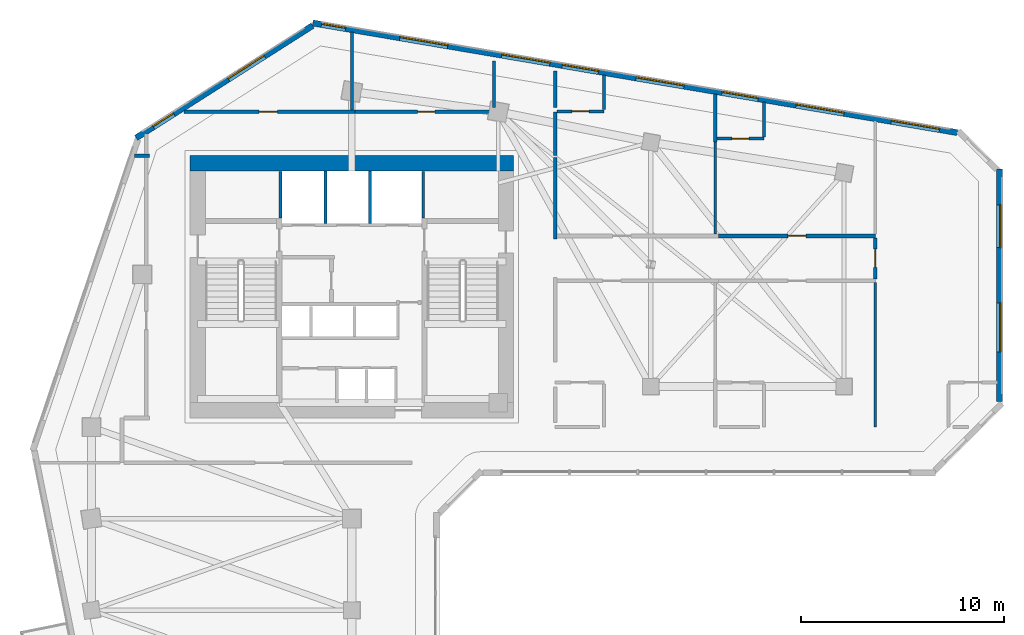
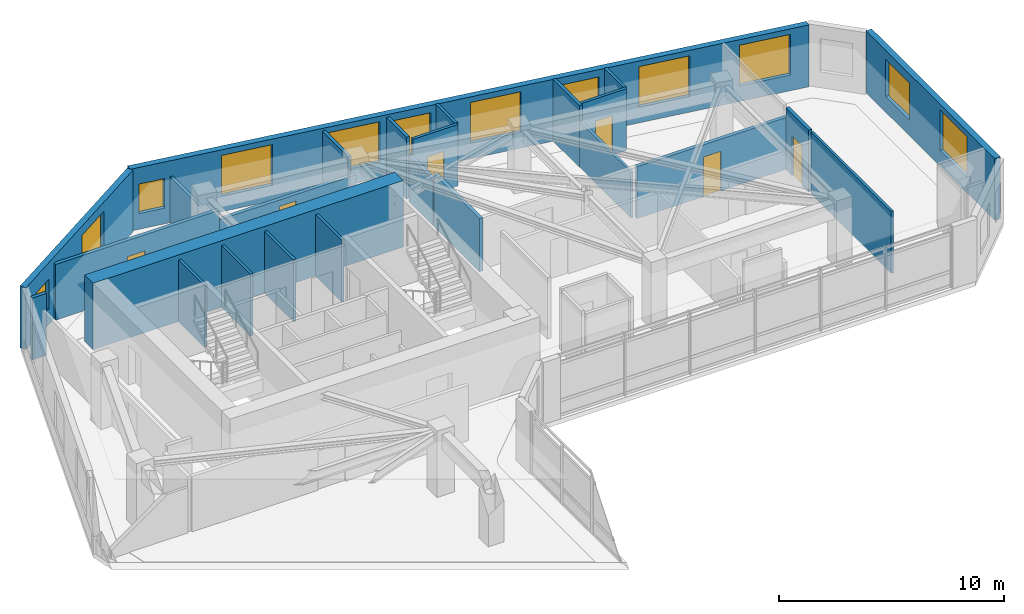
# One storey, part 7 of 11: 25 walls, 12 windows, 6 doors, 18 openings.
"""IFC4 building model written with IfcOpenShell, lengths in metres."""

import ifcopenshell
import ifcopenshell.guid

model = None  # the IFC model being written
_history = None  # IfcOwnerHistory: only IFC2X3 demands one
_inside = {}  # id of a spatial element -> (the spatial element, [elements in it])
_under = {}  # id of a project, library or spatial element -> (it, [spatial elements below it])
_declared = {}  # id of a project -> (the project, [libraries it declares])
_typed = {}  # id of a type object -> (the type object, [elements of that type])
_made_of = {}  # id of a material, layer set ... -> (it, [elements and type objects made of it])


def new_model(schema):
    """Start an empty IFC model of exactly this schema.

    Asked for "IFC4X3", IfcOpenShell would pick the latest addendum, in which some entities
    have other attributes; the version numbers below select the first issue.
    IFC2X3 requires an IfcOwnerHistory on every rooted entity: one is made here for all.
    """
    global model, _history
    if schema == "IFC4X3":
        model = ifcopenshell.file(schema_version=(4, 3, 0, 0))
    else:
        model = ifcopenshell.file(schema=schema)
    _inside.clear()
    _under.clear()
    _declared.clear()
    _typed.clear()
    _made_of.clear()
    _history = None
    if model.schema == "IFC2X3":
        org = make("IfcOrganization", Name="unknown")
        user = make(
            "IfcPersonAndOrganization",
            ThePerson=make("IfcPerson", FamilyName="unknown"),
            TheOrganization=org,
        )
        app = make(
            "IfcApplication",
            ApplicationDeveloper=org,
            Version="unknown",
            ApplicationFullName="unknown",
            ApplicationIdentifier="unknown",
        )
        _history = make(
            "IfcOwnerHistory",
            OwningUser=user,
            OwningApplication=app,
            ChangeAction="ADDED",
            CreationDate=0,
        )
    return model


def make(cls, **values):
    """One entity of the class cls with the attributes given. An attribute that is None is left unset."""
    return model.create_entity(
        cls, **{name: value for name, value in values.items() if value is not None}
    )


def rooted(cls, **values):
    """An entity with a GlobalId (a new one), such as an element, a storey or a relation."""
    return make(cls, GlobalId=ifcopenshell.guid.new(), OwnerHistory=_history, **values)


def si_unit(unit_type, name, prefix=None):
    """IfcSIUnit, for example si_unit("LENGTHUNIT", "METRE", prefix="MILLI")."""
    return make("IfcSIUnit", UnitType=unit_type, Prefix=prefix, Name=name)


def assignment(units):
    """IfcUnitAssignment: the units of a project."""
    return None if units is None else make("IfcUnitAssignment", Units=units)


def point(xyz):
    """IfcCartesianPoint."""
    return None if xyz is None else make("IfcCartesianPoint", Coordinates=xyz)


def direction(xyz):
    """IfcDirection."""
    return None if xyz is None else make("IfcDirection", DirectionRatios=xyz)


def frame(location, z_axis=None, x_axis=None):
    """IfcAxis2Placement3D, a coordinate frame: its origin and axes. An axis left out is left unset."""
    return make(
        "IfcAxis2Placement3D",
        Location=point(location),
        Axis=direction(z_axis),
        RefDirection=direction(x_axis),
    )


def frame_2d(location, x_axis=None):
    """IfcAxis2Placement2D, a coordinate frame in the plane: its origin and x axis."""
    return make(
        "IfcAxis2Placement2D", Location=point(location), RefDirection=direction(x_axis)
    )


def origin():
    """The frame at (0, 0, 0) with its axes left unset."""
    return frame((0.0, 0.0, 0.0))


def place(relative_to, where):
    """IfcLocalPlacement: puts the frame where relative to a parent placement (None: the world)."""
    return make(
        "IfcLocalPlacement", PlacementRelTo=relative_to, RelativePlacement=where
    )


def context(
    kind, dimensions, precision=None, world=None, true_north=None, identifier=None
):
    """IfcGeometricRepresentationContext, for example the 3D "Model" context."""
    return make(
        "IfcGeometricRepresentationContext",
        ContextIdentifier=identifier,
        ContextType=kind,
        CoordinateSpaceDimension=dimensions,
        Precision=precision,
        WorldCoordinateSystem=world,
        TrueNorth=true_north,
    )


def subcontext(parent, identifier, kind, view, scale=None):
    """IfcGeometricRepresentationSubContext, for example "Body" below "Model"."""
    return make(
        "IfcGeometricRepresentationSubContext",
        ContextIdentifier=identifier,
        ContextType=kind,
        ParentContext=parent,
        TargetScale=scale,
        TargetView=view,
    )


def project(units=None, contexts=None):
    """IfcProject with its units and contexts."""
    return rooted(
        "IfcProject",
        Name="project",
        RepresentationContexts=contexts,
        UnitsInContext=assignment(units),
    )


def spatial(cls, under=None, at=None, **own):
    """A site, building, storey or space (cls), placed at a placement, below another one or the project."""
    s = rooted(cls, ObjectPlacement=at, **own)
    if under is not None:
        _under.setdefault(under.id(), (under, []))[1].append(s)
    return s


def profile(cls, at=None, kind="AREA", **sizes):
    """A parametric profile (cls). Its sizes go by their IFC names, for example OverallWidth=200.0."""
    return make(cls, ProfileType=kind, Position=at, **sizes)


def rectangle(**sizes):
    """IfcRectangleProfileDef."""
    return profile("IfcRectangleProfileDef", **sizes)


def extrude(swept, where, along, depth):
    """IfcExtrudedAreaSolid: the profile swept, set in the frame where, extruded along a direction by depth."""
    return make(
        "IfcExtrudedAreaSolid",
        SweptArea=swept,
        Position=where,
        ExtrudedDirection=direction(along),
        Depth=depth,
    )


def shape(context_of_items, identifier, shape_type, items):
    """IfcShapeRepresentation: the items that make up one representation, for example the "Body"."""
    return make(
        "IfcShapeRepresentation",
        ContextOfItems=context_of_items,
        RepresentationIdentifier=identifier,
        RepresentationType=shape_type,
        Items=items,
    )


def source(mapping_origin, context_of_items, identifier, shape_type, items):
    """IfcRepresentationMap: a shape defined once, which mapped items show again and again."""
    return make(
        "IfcRepresentationMap",
        MappingOrigin=mapping_origin,
        MappedRepresentation=shape(context_of_items, identifier, shape_type, items),
    )


def transform(
    local_origin,
    x_axis=None,
    y_axis=None,
    z_axis=None,
    scale=None,
    scale2=None,
    scale3=None,
    uniform=True,
):
    """IfcCartesianTransformationOperator3D, or its non-uniform kind. x_axis, y_axis, z_axis: its Axis1, 2, 3."""
    if uniform:
        return make(
            "IfcCartesianTransformationOperator3D",
            Axis1=direction(x_axis),
            Axis2=direction(y_axis),
            LocalOrigin=point(local_origin),
            Scale=scale,
            Axis3=direction(z_axis),
        )
    return make(
        "IfcCartesianTransformationOperator3DnonUniform",
        Axis1=direction(x_axis),
        Axis2=direction(y_axis),
        LocalOrigin=point(local_origin),
        Scale=scale,
        Axis3=direction(z_axis),
        Scale2=scale2,
        Scale3=scale3,
    )


def mapped(mapping_source, mapping_target):
    """IfcMappedItem: shows the shape of a source again, moved by a transform."""
    return make(
        "IfcMappedItem", MappingSource=mapping_source, MappingTarget=mapping_target
    )


def material(Name=None, Category=None):
    """IfcMaterial."""
    return make("IfcMaterial", Name=Name, Category=Category)


def layer(
    of_material, thickness, ventilated=None, Name=None, Category=None, Priority=None
):
    """IfcMaterialLayer: one layer of a wall or slab, of a material (None: an air gap)."""
    return make(
        "IfcMaterialLayer",
        Material=of_material,
        LayerThickness=thickness,
        IsVentilated=ventilated,
        Name=Name,
        Category=Category,
        Priority=Priority,
    )


def layer_set(layers, Name=None):
    """IfcMaterialLayerSet."""
    return make("IfcMaterialLayerSet", MaterialLayers=layers, LayerSetName=Name)


def made_of(thing, what):
    """Note that an element or type object is made of a material, layer set ...; save() writes the relation."""
    if what is not None:
        _made_of.setdefault(what.id(), (what, []))[1].append(thing)
    return thing


def type_object(cls, material=None, **own):
    """A type object (cls), such as IfcWallType, which elements share."""
    return made_of(rooted(cls, **own), material)


def element(
    cls,
    number,
    at=None,
    inside=None,
    cuts=None,
    type_object=None,
    material=None,
    context=None,
    identifier="Body",
    shape_type=None,
    held_by="IfcProductDefinitionShape",
    body=None,
    shapes=None,
    **own,
):
    """One element of the class cls, such as IfcWall. Its Tag is "e" and its number.

    at: its placement. inside: the storey or other place that contains it. cuts: it is an
    opening in that element (IfcRelVoidsElement). A single representation is given by context,
    identifier, shape_type and body (its items); several are given by shapes. held_by: the class
    of the entity that holds the representations. save() writes the other relations.
    """
    e = rooted(cls, Tag="e%d" % number, ObjectPlacement=at, **own)
    if body is not None:
        shapes = [shape(context, identifier, shape_type, body)]
    if shapes is not None:
        e.Representation = make(held_by, Representations=shapes)
    if inside is not None:
        _inside.setdefault(inside.id(), (inside, []))[1].append(e)
    if cuts is not None:
        rooted(
            "IfcRelVoidsElement", RelatingBuildingElement=cuts, RelatedOpeningElement=e
        )
    if type_object is not None:
        _typed.setdefault(type_object.id(), (type_object, []))[1].append(e)
    return made_of(e, material)


def fill(opening, filler):
    """IfcRelFillsElement: the door or window that sits in an opening."""
    return rooted(
        "IfcRelFillsElement",
        RelatingOpeningElement=opening,
        RelatedBuildingElement=filler,
    )


def aggregate(whole, parts):
    """IfcRelAggregates: a whole, such as a stair, and the parts it consists of."""
    return rooted("IfcRelAggregates", RelatingObject=whole, RelatedObjects=parts)


def save(model, path):
    """Write the relations noted so far, then the file.

    IfcRelAggregates (storeys below a building ...), IfcRelContainedInSpatialStructure (elements
    in a storey), IfcRelDefinesByType, IfcRelAssociatesMaterial and IfcRelDeclares: one each for
    every whole, place, type object, material and project.
    """
    for whole, parts in _under.values():
        aggregate(whole, parts)
    for where, things in _inside.values():
        rooted(
            "IfcRelContainedInSpatialStructure",
            RelatedElements=things,
            RelatingStructure=where,
        )
    for kind, things in _typed.values():
        rooted("IfcRelDefinesByType", RelatedObjects=things, RelatingType=kind)
    for what, things in _made_of.values():
        rooted("IfcRelAssociatesMaterial", RelatedObjects=things, RelatingMaterial=what)
    for by, libraries in _declared.values():
        rooted("IfcRelDeclares", RelatingContext=by, RelatedDefinitions=libraries)
    model.write(path)


model = new_model("IFC4")

# Units and contexts
model_context = context("Model", 3, precision=1e-05, world=origin(), true_north=direction((0.0, 1.0)))
body_context = subcontext(model_context, "Body", "Model", "MODEL_VIEW")
ifc_project = project(units=[si_unit("LENGTHUNIT", "METRE"), si_unit("AREAUNIT", "SQUARE_METRE"), si_unit("VOLUMEUNIT", "CUBIC_METRE"), si_unit("PLANEANGLEUNIT", "RADIAN"), si_unit("MASSUNIT", "GRAM", prefix="KILO")], contexts=[model_context])

# Site, building, storey
site_placement = place(None, origin())
site = spatial("IfcSite", under=ifc_project, at=site_placement, CompositionType="ELEMENT")
building_placement = place(site_placement, origin())
building = spatial("IfcBuilding", under=site, at=building_placement, Name="Calvemar Wedge Station Tower", CompositionType="ELEMENT")
storey_placement = place(building_placement, frame((0.0, 0.0, 161.0)))
storey = spatial("IfcBuildingStorey", under=building, at=storey_placement, Name="L40", CompositionType="ELEMENT", Elevation=161.0)

# Walls
ifc_material_1 = material(Name="Concrete C70", Category="concrete")
ifc_layer_1 = layer(ifc_material_1, 0.75)
ifc_layer_set_1 = layer_set([ifc_layer_1], Name="Concrete C70")
wall_type_1 = type_object("IfcWallType", Name="SW-CORE-750", PredefinedType="SHEAR", material=ifc_layer_set_1)
wall_1_placement = place(storey_placement, frame((15.85009765625, 45.97509765625, 0.0), z_axis=(0.0, 0.0, 1.0), x_axis=(1.0, 0.0, 0.0)))
element("IfcWall", 1, at=wall_1_placement, inside=storey, type_object=wall_type_1, Name="Storey L40 Core Shear Wall N", PredefinedType="SHEAR", context=body_context, shape_type="SweptSolid", body=[
    extrude(rectangle(XDim=15.89990234375, YDim=0.75, at=frame_2d((7.949951171875, 0.0))), origin(), (0.0, 0.0, 1.0), 3.60009765625),
])
ifc_material_2 = material(Name="Double-stud fire-rated corridor partition")
ifc_layer_2 = layer(ifc_material_2, 0.179931640625)
ifc_layer_set_2 = layer_set([ifc_layer_2], Name="Double-stud fire-rated corridor partition")
wall_type_2 = type_object("IfcWallType", Name="W-CORR-180", PredefinedType="PARTITIONING", material=ifc_layer_set_2)
wall_2_placement = place(storey_placement, frame((13.860107421875, 46.35009765625, 0.0), z_axis=(0.0, 0.0, 1.0), x_axis=(-1.0, 0.0, 0.0)))
element("IfcWall", 2, at=wall_2_placement, inside=storey, type_object=wall_type_2, Name="Storey L40 Interior Partition WL-L40-009", PredefinedType="PARTITIONING", context=body_context, shape_type="SweptSolid", body=[
    extrude(rectangle(XDim=0.73486328125, YDim=0.179931640625, at=frame_2d((0.367431640625, 0.0))), origin(), (0.0, 0.0, 1.0), 3.35009765625),
])

# Wall, opening, door
wall_3_placement = place(storey_placement, frame((15.552490234375, 48.5, 0.0), z_axis=(0.0, 0.0, 1.0), x_axis=(1.0, 0.0, 0.0)))
wall_3 = element("IfcWall", 3, at=wall_3_placement, inside=storey, type_object=wall_type_2, Name="Storey L40 Interior Partition WL-L40-010", PredefinedType="PARTITIONING", context=body_context, shape_type="SweptSolid", body=[
    extrude(rectangle(XDim=8.407470703125, YDim=0.179931640625, at=frame_2d((4.20361328125, 0.0))), origin(), (0.0, 0.0, 1.0), 3.01904296875),
])
shared_shape_1 = source(origin(), body_context, "Body", "SweptSolid", [
    extrude(rectangle(XDim=0.89990234375, YDim=2.14990234375, at=frame_2d((0.449951171875, 1.074951171875))), frame((0.0, 0.10009765625, 0.0), z_axis=(0.0, -1.0, 0.0), x_axis=(1.0, 0.0, 0.0)), (0.0, 0.0, 1.0), 0.199951171875),
])
opening_1_placement = place(wall_3_placement, frame((3.69287109375, 0.0, 0.0)))
opening_1 = element("IfcOpeningElement", 4, at=opening_1_placement, cuts=wall_3, Name="Opening D-01", PredefinedType="OPENING", context=body_context, shape_type="MappedRepresentation", body=[
    mapped(shared_shape_1, transform((0.0, 0.0, 0.0), scale=1.0)),
])
ifc_material_3 = material(Name="Architectural hardwood acoustic swing door", Category="wood")
door_type_1 = type_object("IfcDoorType", Name="DR-INT-900", OperationType="NOTDEFINED", PredefinedType="DOOR", material=ifc_material_3)
shared_shape_2 = source(origin(), body_context, "Body", "SweptSolid", [
    extrude(rectangle(XDim=0.89990234375, YDim=2.14990234375, at=frame_2d((0.449951171875, 1.074951171875))), frame((0.0, 0.02490234375, 0.0), z_axis=(0.0, -1.0, 0.0), x_axis=(1.0, 0.0, 0.0)), (0.0, 0.0, 1.0), 0.050048828125),
])
door_1_placement = place(opening_1_placement, origin())
door_1 = element("IfcDoor", 5, at=door_1_placement, inside=storey, type_object=door_type_1, Name="L40 Guest Pantry Door", OperationType="SINGLE_SWING_RIGHT", OverallHeight=2.14990234375, OverallWidth=0.89990234375, PredefinedType="DOOR", context=body_context, shape_type="MappedRepresentation", body=[
    mapped(shared_shape_2, transform((0.0, 0.0, 0.0), scale=1.0)),
])
fill(opening_1, door_1)

wall_4_placement = place(storey_placement, frame((23.9619140625, 48.5, 0.0), z_axis=(0.0, 0.0, 1.0), x_axis=(1.0, 0.0, 0.0)))
wall_4 = element("IfcWall", 6, at=wall_4_placement, inside=storey, type_object=wall_type_2, Name="Storey L40 Interior Partition WL-L40-011", PredefinedType="PARTITIONING", context=body_context, shape_type="SweptSolid", body=[
    extrude(rectangle(XDim=6.998046875, YDim=0.179931640625, at=frame_2d((3.4990234375, 0.0))), origin(), (0.0, 0.0, 1.0), 2.491943359375),
])
shared_shape_3 = source(origin(), body_context, "Body", "SweptSolid", [
    extrude(rectangle(XDim=0.85009765625, YDim=2.14990234375, at=frame_2d((0.425048828125, 1.074951171875))), frame((0.0, 0.10009765625, 0.0), z_axis=(0.0, -1.0, 0.0), x_axis=(1.0, 0.0, 0.0)), (0.0, 0.0, 1.0), 0.199951171875),
])
opening_2_placement = place(wall_4_placement, frame((3.073974609375, 0.0, 0.0)))
opening_2 = element("IfcOpeningElement", 7, at=opening_2_placement, cuts=wall_4, Name="Opening D-02", PredefinedType="OPENING", context=body_context, shape_type="MappedRepresentation", body=[
    mapped(shared_shape_3, transform((0.0, 0.0, 0.0), scale=1.0)),
])
ifc_material_4 = material(Name="Moisture-sealed bathroom hardwood swing door", Category="wood")
door_type_2 = type_object("IfcDoorType", Name="DR-WET-850", OperationType="NOTDEFINED", PredefinedType="DOOR", material=ifc_material_4)
shared_shape_4 = source(origin(), body_context, "Body", "SweptSolid", [
    extrude(rectangle(XDim=0.85009765625, YDim=2.14990234375, at=frame_2d((0.425048828125, 1.074951171875))), frame((0.0, 0.02490234375, 0.0), z_axis=(0.0, -1.0, 0.0), x_axis=(1.0, 0.0, 0.0)), (0.0, 0.0, 1.0), 0.050048828125),
])
door_2_placement = place(opening_2_placement, origin())
door_2 = element("IfcDoor", 8, at=door_2_placement, inside=storey, type_object=door_type_2, Name="L40 Accessible WC Door", OperationType="SINGLE_SWING_LEFT", OverallHeight=2.14990234375, OverallWidth=0.85009765625, PredefinedType="DOOR", context=body_context, shape_type="MappedRepresentation", body=[
    mapped(shared_shape_4, transform((0.0, 0.0, 0.0), scale=1.0)),
])
fill(opening_2, door_2)

# Walls
wall_5_placement = place(storey_placement, frame((33.800048828125, 48.5, 0.0), z_axis=(0.0, 0.0, 1.0), x_axis=(0.0, -1.0, 0.0)))
element("IfcWall", 9, at=wall_5_placement, inside=storey, type_object=wall_type_2, Name="Storey L40 Interior Partition WL-L40-012", PredefinedType="PARTITIONING", context=body_context, shape_type="SweptSolid", body=[
    extrude(rectangle(XDim=2.14990234375, YDim=0.179931640625, at=frame_2d((1.074951171875, 0.0))), origin(), (0.0, 0.0, 1.0), 2.491943359375),
])
wall_6_placement = place(storey_placement, frame((33.800048828125, 46.256103515625, 0.0), z_axis=(0.0, 0.0, 1.0), x_axis=(0.0, -1.0, 0.0)))
element("IfcWall", 10, at=wall_6_placement, inside=storey, type_object=wall_type_2, Name="Storey L40 Interior Partition WL-L40-013", PredefinedType="PARTITIONING", context=body_context, shape_type="SweptSolid", body=[
    extrude(rectangle(XDim=4.01611328125, YDim=0.179931640625, at=frame_2d((2.008056640625, 0.0))), origin(), (0.0, 0.0, 1.0), 2.87890625),
])

# Wall, opening, door
wall_7_placement = place(storey_placement, frame((41.8291015625, 42.39990234375, 0.0), z_axis=(0.0, 0.0, 1.0), x_axis=(1.0, 0.0, 0.0)))
wall_7 = element("IfcWall", 11, at=wall_7_placement, inside=storey, type_object=wall_type_2, Name="Storey L40 Interior Partition WL-L40-019", PredefinedType="PARTITIONING", context=body_context, shape_type="SweptSolid", body=[
    extrude(rectangle(XDim=7.705810546875, YDim=0.179931640625, at=frame_2d((3.85302734375, 0.0))), origin(), (0.0, 0.0, 1.0), 2.802978515625),
])
opening_3_placement = place(wall_7_placement, frame((3.403076171875, 0.0, 0.0)))
opening_3 = element("IfcOpeningElement", 12, at=opening_3_placement, cuts=wall_7, Name="Opening FD-60", PredefinedType="OPENING", context=body_context, shape_type="MappedRepresentation", body=[
    mapped(shared_shape_1, transform((0.0, 0.0, 0.0), scale=1.0)),
])
ifc_material_5 = material(Name="Fire-rated acoustic timber-core entrance door EI 60", Category="wood")
door_type_3 = type_object("IfcDoorType", Name="DR-FD60-900", OperationType="NOTDEFINED", PredefinedType="DOOR", material=ifc_material_5)
shared_shape_5 = source(origin(), body_context, "Body", "SweptSolid", [
    extrude(rectangle(XDim=0.89990234375, YDim=2.14990234375, at=frame_2d((0.449951171875, 1.074951171875))), frame((0.0, 0.02490234375, 0.0), z_axis=(0.0, -1.0, 0.0), x_axis=(1.0, 0.0, 0.0)), (0.0, 0.0, 1.0), 0.050048828125),
])
door_3_placement = place(opening_3_placement, origin())
door_3 = element("IfcDoor", 13, at=door_3_placement, inside=storey, type_object=door_type_3, Name="L40 Hotel Guest Room Door", OperationType="SINGLE_SWING_LEFT", OverallHeight=2.14990234375, OverallWidth=0.89990234375, PredefinedType="DOOR", context=body_context, shape_type="MappedRepresentation", body=[
    mapped(shared_shape_5, transform((0.0, 0.0, 0.0), scale=1.0)),
])
fill(opening_3, door_3)

wall_8_placement = place(storey_placement, frame((49.534912109375, 42.305908203125, 0.0), z_axis=(0.0, 0.0, 1.0), x_axis=(0.0, -1.0, 0.0)))
wall_8 = element("IfcWall", 14, at=wall_8_placement, inside=storey, type_object=wall_type_2, Name="Storey L40 Interior Partition WL-L40-021", PredefinedType="PARTITIONING", context=body_context, shape_type="SweptSolid", body=[
    extrude(rectangle(XDim=2.011962890625, YDim=0.179931640625, at=frame_2d((1.005859375, 0.0))), origin(), (0.0, 0.0, 1.0), 3.35009765625),
])
opening_4_placement = place(wall_8_placement, frame((0.555908203125, 0.0, 0.0)))
opening_4 = element("IfcOpeningElement", 15, at=opening_4_placement, cuts=wall_8, Name="Opening FD-60", PredefinedType="OPENING", context=body_context, shape_type="MappedRepresentation", body=[
    mapped(shared_shape_1, transform((0.0, 0.0, 0.0), scale=1.0)),
])
door_4_placement = place(opening_4_placement, origin())
door_4 = element("IfcDoor", 16, at=door_4_placement, inside=storey, type_object=door_type_3, Name="L40 Hotel Suite Door", OperationType="SINGLE_SWING_LEFT", OverallHeight=2.14990234375, OverallWidth=0.89990234375, PredefinedType="DOOR", context=body_context, shape_type="MappedRepresentation", body=[
    mapped(shared_shape_5, transform((0.0, 0.0, 0.0), scale=1.0)),
])
fill(opening_4, door_4)

# Wall, openings, windows
ifc_material_6 = material(Name="Precast concrete C45", Category="concrete")
ifc_layer_3 = layer(ifc_material_6, 0.300048828125)
ifc_layer_set_3 = layer_set([ifc_layer_3], Name="Precast concrete C45")
wall_type_3 = type_object("IfcWallType", Name="W-EXT-GFRC-300", PredefinedType="SOLIDWALL", material=ifc_layer_set_3)
wall_9_placement = place(storey_placement, frame((55.64990234375, 34.249267578125, 0.0), z_axis=(0.0, 0.0, 1.0), x_axis=(0.0, 1.0, 0.0)))
wall_9 = element("IfcWall", 17, at=wall_9_placement, inside=storey, type_object=wall_type_3, Name="Storey L40 Bronze GFRC Exterior Wall 8", PredefinedType="SOLIDWALL", context=body_context, shape_type="SweptSolid", body=[
    extrude(rectangle(XDim=11.4306640625, YDim=0.300048828125, at=frame_2d((5.71533203125, 0.0))), origin(), (0.0, 0.0, 1.0), 3.35009765625),
])
shared_shape_6 = source(origin(), body_context, "Body", "SweptSolid", [
    extrude(rectangle(XDim=2.39990234375, YDim=2.199951171875, at=frame_2d((1.199951171875, 1.10009765625))), frame((0.0, 0.16015625, 0.0), z_axis=(0.0, -1.0, 0.0), x_axis=(1.0, 0.0, 0.0)), (0.0, 0.0, 1.0), 0.320068359375),
])
opening_5_placement = place(wall_9_placement, frame((2.4560546875, 0.0, 0.85009765625)))
opening_5 = element("IfcOpeningElement", 18, at=opening_5_placement, cuts=wall_9, Name="Opening W1", PredefinedType="OPENING", context=body_context, shape_type="MappedRepresentation", body=[
    mapped(shared_shape_6, transform((0.0, 0.0, 0.0), scale=1.0)),
])
shared_shape_7 = source(origin(), body_context, "Body", "SweptSolid", [
    extrude(rectangle(XDim=2.10009765625, YDim=2.0, at=frame_2d((1.050048828125, 1.0))), frame((0.0, 0.16015625, 0.0), z_axis=(0.0, -1.0, 0.0), x_axis=(1.0, 0.0, 0.0)), (0.0, 0.0, 1.0), 0.320068359375),
])
opening_6_placement = place(wall_9_placement, frame((7.575927734375, 0.0, 0.85009765625)))
opening_6 = element("IfcOpeningElement", 19, at=opening_6_placement, cuts=wall_9, Name="Opening W4", PredefinedType="OPENING", context=body_context, shape_type="MappedRepresentation", body=[
    mapped(shared_shape_7, transform((0.0, 0.0, 0.0), scale=1.0)),
])
ifc_material_7 = material(Name="Low-E laminated insulated glass", Category="glass")
window_type_1 = type_object("IfcWindowType", Name="WIN-EXT-4", PartitioningType="SINGLE_PANEL", PredefinedType="WINDOW", material=ifc_material_7)
shared_shape_8 = source(origin(), body_context, "Body", "SweptSolid", [
    extrude(rectangle(XDim=2.10009765625, YDim=2.0, at=frame_2d((1.050048828125, 1.0))), frame((0.0, -0.014892578125, 0.0), z_axis=(0.0, -1.0, 0.0), x_axis=(1.0, 0.0, 0.0)), (0.0, 0.0, 1.0), 0.06005859375),
])
window_1_placement = place(opening_6_placement, origin())
window_1 = element("IfcWindow", 20, at=window_1_placement, inside=storey, type_object=window_type_1, Name="Storey L40 Recessed Window 8.2", OverallHeight=2.0, OverallWidth=2.10009765625, PartitioningType="SINGLE_PANEL", PredefinedType="WINDOW", context=body_context, shape_type="MappedRepresentation", body=[
    mapped(shared_shape_8, transform((0.0, 0.0, 0.0), scale=1.0)),
])
fill(opening_6, window_1)
window_type_2 = type_object("IfcWindowType", Name="WIN-EXT-1", PartitioningType="SINGLE_PANEL", PredefinedType="WINDOW", material=ifc_material_7)
shared_shape_9 = source(origin(), body_context, "Body", "SweptSolid", [
    extrude(rectangle(XDim=2.39990234375, YDim=2.199951171875, at=frame_2d((1.199951171875, 1.10009765625))), frame((0.0, -0.014892578125, 0.0), z_axis=(0.0, -1.0, 0.0), x_axis=(1.0, 0.0, 0.0)), (0.0, 0.0, 1.0), 0.06005859375),
])
window_2_placement = place(opening_5_placement, origin())
window_2 = element("IfcWindow", 21, at=window_2_placement, inside=storey, type_object=window_type_2, Name="Storey L40 Recessed Window 8.1", OverallHeight=2.199951171875, OverallWidth=2.39990234375, PartitioningType="SINGLE_PANEL", PredefinedType="WINDOW", context=body_context, shape_type="MappedRepresentation", body=[
    mapped(shared_shape_9, transform((0.0, 0.0, 0.0), scale=1.0)),
])
fill(opening_5, window_2)

wall_10_placement = place(storey_placement, frame((53.56103515625, 47.48046875, 0.0), z_axis=(0.0, 0.0, 1.0), x_axis=(-0.985845173895, 0.167658262868, 0.0)))
wall_10 = element("IfcWall", 22, at=wall_10_placement, inside=storey, type_object=wall_type_3, Name="Storey L40 Bronze GFRC Exterior Wall 10", PredefinedType="SOLIDWALL", context=body_context, shape_type="SweptSolid", body=[
    extrude(rectangle(XDim=32.132080078125, YDim=0.300048828125, at=frame_2d((16.06591796875, 0.0))), origin(), (0.0, 0.0, 1.0), 3.35009765625),
])
opening_7_placement = place(wall_10_placement, frame((0.882080078125, 0.0, 0.85009765625)))
opening_7 = element("IfcOpeningElement", 23, at=opening_7_placement, cuts=wall_10, Name="Opening W1", PredefinedType="OPENING", context=body_context, shape_type="MappedRepresentation", body=[
    mapped(shared_shape_6, transform((0.0, 0.0, 0.0), scale=1.0)),
])
opening_8_placement = place(wall_10_placement, frame((5.636962890625, 0.0, 0.85009765625)))
opening_8 = element("IfcOpeningElement", 24, at=opening_8_placement, cuts=wall_10, Name="Opening W1", PredefinedType="OPENING", context=body_context, shape_type="MappedRepresentation", body=[
    mapped(shared_shape_6, transform((0.0, 0.0, 0.0), scale=1.0)),
])
shared_shape_10 = source(origin(), body_context, "Body", "SweptSolid", [
    extrude(rectangle(XDim=1.800048828125, YDim=2.10009765625, at=frame_2d((0.89990234375, 1.050048828125))), frame((0.0, 0.16015625, 0.0), z_axis=(0.0, -1.0, 0.0), x_axis=(1.0, 0.0, 0.0)), (0.0, 0.0, 1.0), 0.320068359375),
])
opening_9_placement = place(wall_10_placement, frame((9.927978515625, 0.0, 0.85009765625)))
opening_9 = element("IfcOpeningElement", 25, at=opening_9_placement, cuts=wall_10, Name="Opening W2", PredefinedType="OPENING", context=body_context, shape_type="MappedRepresentation", body=[
    mapped(shared_shape_10, transform((0.0, 0.0, 0.0), scale=1.0)),
])
opening_10_placement = place(wall_10_placement, frame((13.617919921875, 0.0, 0.85009765625)))
opening_10 = element("IfcOpeningElement", 26, at=opening_10_placement, cuts=wall_10, Name="Opening W1", PredefinedType="OPENING", context=body_context, shape_type="MappedRepresentation", body=[
    mapped(shared_shape_6, transform((0.0, 0.0, 0.0), scale=1.0)),
])
opening_11_placement = place(wall_10_placement, frame((17.888916015625, 0.0, 0.85009765625)))
opening_11 = element("IfcOpeningElement", 27, at=opening_11_placement, cuts=wall_10, Name="Opening W2", PredefinedType="OPENING", context=body_context, shape_type="MappedRepresentation", body=[
    mapped(shared_shape_10, transform((0.0, 0.0, 0.0), scale=1.0)),
])
opening_12_placement = place(wall_10_placement, frame((20.30908203125, 0.0, 0.85009765625)))
opening_12 = element("IfcOpeningElement", 28, at=opening_12_placement, cuts=wall_10, Name="Opening W1", PredefinedType="OPENING", context=body_context, shape_type="MappedRepresentation", body=[
    mapped(shared_shape_6, transform((0.0, 0.0, 0.0), scale=1.0)),
])
opening_13_placement = place(wall_10_placement, frame((25.39990234375, 0.0, 0.85009765625)))
opening_13 = element("IfcOpeningElement", 29, at=opening_13_placement, cuts=wall_10, Name="Opening W1", PredefinedType="OPENING", context=body_context, shape_type="MappedRepresentation", body=[
    mapped(shared_shape_6, transform((0.0, 0.0, 0.0), scale=1.0)),
])
shared_shape_11 = source(origin(), body_context, "Body", "SweptSolid", [
    extrude(rectangle(XDim=1.199951171875, YDim=1.60009765625, at=frame_2d((0.60009765625, 0.800048828125))), frame((0.0, 0.16015625, 0.0), z_axis=(0.0, -1.0, 0.0), x_axis=(1.0, 0.0, 0.0)), (0.0, 0.0, 1.0), 0.320068359375),
])
opening_14_placement = place(wall_10_placement, frame((30.5, 0.0, 0.85009765625)))
opening_14 = element("IfcOpeningElement", 30, at=opening_14_placement, cuts=wall_10, Name="Opening W5", PredefinedType="OPENING", context=body_context, shape_type="MappedRepresentation", body=[
    mapped(shared_shape_11, transform((0.0, 0.0, 0.0), scale=1.0)),
])
window_type_3 = type_object("IfcWindowType", Name="WIN-EXT-2", PartitioningType="SINGLE_PANEL", PredefinedType="WINDOW", material=ifc_material_7)
shared_shape_12 = source(origin(), body_context, "Body", "SweptSolid", [
    extrude(rectangle(XDim=1.800048828125, YDim=2.10009765625, at=frame_2d((0.89990234375, 1.050048828125))), frame((0.0, -0.014892578125, 0.0), z_axis=(0.0, -1.0, 0.0), x_axis=(1.0, 0.0, 0.0)), (0.0, 0.0, 1.0), 0.06005859375),
])
window_3_placement = place(opening_9_placement, origin())
window_3 = element("IfcWindow", 31, at=window_3_placement, inside=storey, type_object=window_type_3, Name="Storey L40 Recessed Window 10.3", OverallHeight=2.10009765625, OverallWidth=1.800048828125, PartitioningType="SINGLE_PANEL", PredefinedType="WINDOW", context=body_context, shape_type="MappedRepresentation", body=[
    mapped(shared_shape_12, transform((0.0, 0.0, 0.0), scale=1.0)),
])
fill(opening_9, window_3)
window_4_placement = place(opening_11_placement, origin())
window_4 = element("IfcWindow", 32, at=window_4_placement, inside=storey, type_object=window_type_3, Name="Storey L40 Recessed Window 10.5", OverallHeight=2.10009765625, OverallWidth=1.800048828125, PartitioningType="SINGLE_PANEL", PredefinedType="WINDOW", context=body_context, shape_type="MappedRepresentation", body=[
    mapped(shared_shape_12, transform((0.0, 0.0, 0.0), scale=1.0)),
])
fill(opening_11, window_4)
window_5_placement = place(opening_7_placement, origin())
window_5 = element("IfcWindow", 33, at=window_5_placement, inside=storey, type_object=window_type_2, Name="Storey L40 Recessed Window 10.1", OverallHeight=2.199951171875, OverallWidth=2.39990234375, PartitioningType="SINGLE_PANEL", PredefinedType="WINDOW", context=body_context, shape_type="MappedRepresentation", body=[
    mapped(shared_shape_9, transform((0.0, 0.0, 0.0), scale=1.0)),
])
fill(opening_7, window_5)
window_6_placement = place(opening_8_placement, origin())
window_6 = element("IfcWindow", 34, at=window_6_placement, inside=storey, type_object=window_type_2, Name="Storey L40 Recessed Window 10.2", OverallHeight=2.199951171875, OverallWidth=2.39990234375, PartitioningType="SINGLE_PANEL", PredefinedType="WINDOW", context=body_context, shape_type="MappedRepresentation", body=[
    mapped(shared_shape_9, transform((0.0, 0.0, 0.0), scale=1.0)),
])
fill(opening_8, window_6)
window_7_placement = place(opening_10_placement, origin())
window_7 = element("IfcWindow", 35, at=window_7_placement, inside=storey, type_object=window_type_2, Name="Storey L40 Recessed Window 10.4", OverallHeight=2.199951171875, OverallWidth=2.39990234375, PartitioningType="SINGLE_PANEL", PredefinedType="WINDOW", context=body_context, shape_type="MappedRepresentation", body=[
    mapped(shared_shape_9, transform((0.0, 0.0, 0.0), scale=1.0)),
])
fill(opening_10, window_7)
window_8_placement = place(opening_12_placement, origin())
window_8 = element("IfcWindow", 36, at=window_8_placement, inside=storey, type_object=window_type_2, Name="Storey L40 Recessed Window 10.6", OverallHeight=2.199951171875, OverallWidth=2.39990234375, PartitioningType="SINGLE_PANEL", PredefinedType="WINDOW", context=body_context, shape_type="MappedRepresentation", body=[
    mapped(shared_shape_9, transform((0.0, 0.0, 0.0), scale=1.0)),
])
fill(opening_12, window_8)
window_9_placement = place(opening_13_placement, origin())
window_9 = element("IfcWindow", 37, at=window_9_placement, inside=storey, type_object=window_type_2, Name="Storey L40 Recessed Window 10.7", OverallHeight=2.199951171875, OverallWidth=2.39990234375, PartitioningType="SINGLE_PANEL", PredefinedType="WINDOW", context=body_context, shape_type="MappedRepresentation", body=[
    mapped(shared_shape_9, transform((0.0, 0.0, 0.0), scale=1.0)),
])
fill(opening_13, window_9)
window_type_4 = type_object("IfcWindowType", Name="WIN-EXT-5", PartitioningType="SINGLE_PANEL", PredefinedType="WINDOW", material=ifc_material_7)
shared_shape_13 = source(origin(), body_context, "Body", "SweptSolid", [
    extrude(rectangle(XDim=1.199951171875, YDim=1.60009765625, at=frame_2d((0.60009765625, 0.800048828125))), frame((0.0, -0.014892578125, 0.0), z_axis=(0.0, -1.0, 0.0), x_axis=(1.0, 0.0, 0.0)), (0.0, 0.0, 1.0), 0.06005859375),
])
window_10_placement = place(opening_14_placement, origin())
window_10 = element("IfcWindow", 38, at=window_10_placement, inside=storey, type_object=window_type_4, Name="Storey L40 Recessed Window 10.8", OverallHeight=1.60009765625, OverallWidth=1.199951171875, PartitioningType="SINGLE_PANEL", PredefinedType="WINDOW", context=body_context, shape_type="MappedRepresentation", body=[
    mapped(shared_shape_13, transform((0.0, 0.0, 0.0), scale=1.0)),
])
fill(opening_14, window_10)

wall_11_placement = place(storey_placement, frame((21.874755859375, 52.742431640625, 0.0), z_axis=(0.0, 0.0, 1.0), x_axis=(-0.843662465249, -0.536873956092, 0.0)))
wall_11 = element("IfcWall", 39, at=wall_11_placement, inside=storey, type_object=wall_type_3, Name="Storey L40 Bronze GFRC Exterior Wall 11", PredefinedType="SOLIDWALL", context=body_context, shape_type="SweptSolid", body=[
    extrude(rectangle(XDim=10.283935546875, YDim=0.300048828125, at=frame_2d((5.14208984375, 0.0))), origin(), (0.0, 0.0, 1.0), 3.35009765625),
])
opening_15_placement = place(wall_11_placement, frame((2.805908203125, 0.0, 0.85009765625)))
opening_15 = element("IfcOpeningElement", 40, at=opening_15_placement, cuts=wall_11, Name="Opening W4", PredefinedType="OPENING", context=body_context, shape_type="MappedRepresentation", body=[
    mapped(shared_shape_7, transform((0.0, 0.0, 0.0), scale=1.0)),
])
opening_16_placement = place(wall_11_placement, frame((8.0869140625, 0.0, 0.85009765625)))
opening_16 = element("IfcOpeningElement", 41, at=opening_16_placement, cuts=wall_11, Name="Opening W5", PredefinedType="OPENING", context=body_context, shape_type="MappedRepresentation", body=[
    mapped(shared_shape_11, transform((0.0, 0.0, 0.0), scale=1.0)),
])
window_11_placement = place(opening_15_placement, origin())
window_11 = element("IfcWindow", 42, at=window_11_placement, inside=storey, type_object=window_type_1, Name="Storey L40 Recessed Window 11.1", OverallHeight=2.0, OverallWidth=2.10009765625, PartitioningType="SINGLE_PANEL", PredefinedType="WINDOW", context=body_context, shape_type="MappedRepresentation", body=[
    mapped(shared_shape_8, transform((0.0, 0.0, 0.0), scale=1.0)),
])
fill(opening_15, window_11)
window_12_placement = place(opening_16_placement, origin())
window_12 = element("IfcWindow", 43, at=window_12_placement, inside=storey, type_object=window_type_4, Name="Storey L40 Recessed Window 11.2", OverallHeight=1.60009765625, OverallWidth=1.199951171875, PartitioningType="SINGLE_PANEL", PredefinedType="WINDOW", context=body_context, shape_type="MappedRepresentation", body=[
    mapped(shared_shape_13, transform((0.0, 0.0, 0.0), scale=1.0)),
])
fill(opening_16, window_12)

# Walls
ifc_material_8 = material(Name="Reinforced concrete blockwork lift shaft wall", Category="masonry")
ifc_layer_4 = layer(ifc_material_8, 0.139892578125)
ifc_layer_set_4 = layer_set([ifc_layer_4], Name="Reinforced concrete blockwork lift shaft wall")
wall_type_4 = type_object("IfcWallType", Name="W-LIFT-160", PredefinedType="SOLIDWALL", material=ifc_layer_set_4)
for number, where, z_axis, x_axis, name in (
    (44, (20.2900390625, 43.280029296875, 0.0), (0.0, 0.0, 1.0), (0.0, 1.0, 0.0), "Storey L40 Firefighting Lift Shaft Enclosure Wall W"),
    (45, (27.31005859375, 43.280029296875, 0.0), (0.0, 0.0, 1.0), (0.0, 1.0, 0.0), "Storey L40 Firefighting Lift Shaft Enclosure Wall E"),
):
    element("IfcWall", number, at=place(storey_placement, frame(where, z_axis=z_axis, x_axis=x_axis)), inside=storey, type_object=wall_type_4, Name=name, PredefinedType="SOLIDWALL", context=body_context, shape_type="SweptSolid", body=[
        extrude(rectangle(XDim=2.300048828125, YDim=0.139892578125, at=frame_2d((1.14990234375, 0.0))), origin(), (0.0, 0.0, 1.0), 3.35009765625),
    ])
for number, where, z_axis, x_axis, name in (
    (46, (22.5, 43.02001953125, 0.0), (0.0, 0.0, 1.0), (0.0, 1.0, 0.0), "Storey L40 Firefighting Lift Shaft Enclosure Wall D1"),
    (47, (24.699951171875, 43.02001953125, 0.0), (0.0, 0.0, 1.0), (0.0, 1.0, 0.0), "Storey L40 Firefighting Lift Shaft Enclosure Wall D2"),
):
    element("IfcWall", number, at=place(storey_placement, frame(where, z_axis=z_axis, x_axis=x_axis)), inside=storey, type_object=wall_type_4, Name=name, PredefinedType="SOLIDWALL", context=body_context, shape_type="SweptSolid", body=[
        extrude(rectangle(XDim=2.56005859375, YDim=0.139892578125, at=frame_2d((1.280029296875, 0.0))), origin(), (0.0, 0.0, 1.0), 3.35009765625),
    ])
ifc_material_9 = material(Name="Insulated acoustic gypsum stud partition")
ifc_layer_5 = layer(ifc_material_9, 0.125)
ifc_layer_set_5 = layer_set([ifc_layer_5], Name="Insulated acoustic gypsum stud partition")
wall_type_5 = type_object("IfcWallType", Name="W-PART-125", PredefinedType="PARTITIONING", material=ifc_layer_set_5)
wall_12_placement = place(storey_placement, frame((41.6669921875, 47.024658203125, 0.0), z_axis=(0.0, 0.0, 1.0), x_axis=(0.0, -1.0, 0.0)))
element("IfcWall", 48, at=wall_12_placement, inside=storey, type_object=wall_type_5, Name="Storey L40 Interior Partition WL-L40-025", PredefinedType="PARTITIONING", context=body_context, shape_type="SweptSolid", body=[
    extrude(rectangle(XDim=4.53076171875, YDim=0.125, at=frame_2d((2.265380859375, 0.0))), origin(), (0.0, 0.0, 1.0), 2.491943359375),
])
wall_13_placement = place(storey_placement, frame((49.534912109375, 40.10595703125, 0.0), z_axis=(0.0, 0.0, 1.0), x_axis=(0.0, -1.0, 0.0)))
element("IfcWall", 49, at=wall_13_placement, inside=storey, type_object=wall_type_5, Name="Storey L40 Interior Partition WL-L40-035", PredefinedType="PARTITIONING", context=body_context, shape_type="SweptSolid", body=[
    extrude(rectangle(XDim=7.10595703125, YDim=0.125, at=frame_2d((3.552978515625, 0.0))), origin(), (0.0, 0.0, 1.0), 3.35009765625),
])
ifc_material_10 = material(Name="Moisture-resistant acoustic bathroom partition")
ifc_layer_6 = layer(ifc_material_10, 0.14990234375)
ifc_layer_set_6 = layer_set([ifc_layer_6], Name="Moisture-resistant acoustic bathroom partition")
wall_type_6 = type_object("IfcWallType", Name="W-WET-150", PredefinedType="PARTITIONING", material=ifc_layer_set_6)
wall_14_placement = place(storey_placement, frame((23.800048828125, 52.425048828125, 0.0), z_axis=(0.0, 0.0, 1.0), x_axis=(0.0, -1.0, 0.0)))
element("IfcWall", 50, at=wall_14_placement, inside=storey, type_object=wall_type_6, Name="Storey L40 Interior Partition WL-L40-016", PredefinedType="PARTITIONING", context=body_context, shape_type="SweptSolid", body=[
    extrude(rectangle(XDim=3.8310546875, YDim=0.14990234375, at=frame_2d((1.91552734375, 0.0))), origin(), (0.0, 0.0, 1.0), 2.491943359375),
])

# Wall, opening, door
wall_15_placement = place(storey_placement, frame((36.199951171875, 48.5244140625, 0.0), z_axis=(0.0, 0.0, 1.0), x_axis=(-1.0, 0.0, 0.0)))
wall_15 = element("IfcWall", 51, at=wall_15_placement, inside=storey, type_object=wall_type_6, Name="Storey L40 Interior Partition WL-L40-022", PredefinedType="PARTITIONING", context=body_context, shape_type="SweptSolid", body=[
    extrude(rectangle(XDim=2.305908203125, YDim=0.14990234375, at=frame_2d((1.15283203125, 0.0))), origin(), (0.0, 0.0, 1.0), 3.35009765625),
])
shared_shape_14 = source(origin(), body_context, "Body", "SweptSolid", [
    extrude(rectangle(XDim=0.85009765625, YDim=2.14990234375, at=frame_2d((0.425048828125, 1.074951171875))), frame((0.0, 0.0849609375, 0.0), z_axis=(0.0, -1.0, 0.0), x_axis=(1.0, 0.0, 0.0)), (0.0, 0.0, 1.0), 0.169921875),
])
opening_17_placement = place(wall_15_placement, frame((0.72802734375, 0.0, 0.0)))
opening_17 = element("IfcOpeningElement", 52, at=opening_17_placement, cuts=wall_15, Name="Opening D-02", PredefinedType="OPENING", context=body_context, shape_type="MappedRepresentation", body=[
    mapped(shared_shape_14, transform((0.0, 0.0, 0.0), scale=1.0)),
])
door_5_placement = place(opening_17_placement, origin())
door_5 = element("IfcDoor", 53, at=door_5_placement, inside=storey, type_object=door_type_2, Name="L40 En-Suite Bathroom Door", OperationType="SINGLE_SWING_RIGHT", OverallHeight=2.14990234375, OverallWidth=0.85009765625, PredefinedType="DOOR", context=body_context, shape_type="MappedRepresentation", body=[
    mapped(shared_shape_4, transform((0.0, 0.0, 0.0), scale=1.0)),
])
fill(opening_17, door_5)

# Walls
wall_16_placement = place(storey_placement, frame((36.199951171875, 50.31640625, 0.0), z_axis=(0.0, 0.0, 1.0), x_axis=(0.0, -1.0, 0.0)))
element("IfcWall", 54, at=wall_16_placement, inside=storey, type_object=wall_type_6, Name="Storey L40 Interior Partition WL-L40-023", PredefinedType="PARTITIONING", context=body_context, shape_type="SweptSolid", body=[
    extrude(rectangle(XDim=1.712890625, YDim=0.14990234375, at=frame_2d((0.8564453125, 0.0))), origin(), (0.0, 0.0, 1.0), 3.35009765625),
])
wall_17_placement = place(storey_placement, frame((41.6669921875, 49.38671875, 0.0), z_axis=(0.0, 0.0, 1.0), x_axis=(0.0, -1.0, 0.0)))
element("IfcWall", 55, at=wall_17_placement, inside=storey, type_object=wall_type_6, Name="Storey L40 Interior Partition WL-L40-024", PredefinedType="PARTITIONING", context=body_context, shape_type="SweptSolid", body=[
    extrude(rectangle(XDim=2.360107421875, YDim=0.14990234375, at=frame_2d((1.18017578125, 0.0))), origin(), (0.0, 0.0, 1.0), 3.35009765625),
])

# Wall, opening, door
wall_18_placement = place(storey_placement, frame((44.06689453125, 47.1865234375, 0.0), z_axis=(0.0, 0.0, 1.0), x_axis=(-1.0, 0.0, 0.0)))
wall_18 = element("IfcWall", 56, at=wall_18_placement, inside=storey, type_object=wall_type_6, Name="Storey L40 Interior Partition WL-L40-030", PredefinedType="PARTITIONING", context=body_context, shape_type="SweptSolid", body=[
    extrude(rectangle(XDim=2.32080078125, YDim=0.14990234375, at=frame_2d((1.160400390625, 0.0))), origin(), (0.0, 0.0, 1.0), 3.35009765625),
])
opening_18_placement = place(wall_18_placement, frame((0.735595703125, 0.0, 0.0)))
opening_18 = element("IfcOpeningElement", 57, at=opening_18_placement, cuts=wall_18, Name="Opening D-02", PredefinedType="OPENING", context=body_context, shape_type="MappedRepresentation", body=[
    mapped(shared_shape_14, transform((0.0, 0.0, 0.0), scale=1.0)),
])
door_6_placement = place(opening_18_placement, origin())
door_6 = element("IfcDoor", 58, at=door_6_placement, inside=storey, type_object=door_type_2, Name="L40 En-Suite Bathroom Door", OperationType="SINGLE_SWING_RIGHT", OverallHeight=2.14990234375, OverallWidth=0.85009765625, PredefinedType="DOOR", context=body_context, shape_type="MappedRepresentation", body=[
    mapped(shared_shape_4, transform((0.0, 0.0, 0.0), scale=1.0)),
])
fill(opening_18, door_6)

# Walls
wall_19_placement = place(storey_placement, frame((44.06689453125, 48.978515625, 0.0), z_axis=(0.0, 0.0, 1.0), x_axis=(0.0, -1.0, 0.0)))
element("IfcWall", 59, at=wall_19_placement, inside=storey, type_object=wall_type_6, Name="Storey L40 Interior Partition WL-L40-031", PredefinedType="PARTITIONING", context=body_context, shape_type="SweptSolid", body=[
    extrude(rectangle(XDim=1.712890625, YDim=0.14990234375, at=frame_2d((0.8564453125, 0.0))), origin(), (0.0, 0.0, 1.0), 3.35009765625),
])
wall_20_placement = place(storey_placement, frame((30.800048828125, 51.011474609375, 0.0), z_axis=(0.0, 0.0, 1.0), x_axis=(0.0, -1.0, 0.0)))
element("IfcWall", 60, at=wall_20_placement, inside=storey, type_object=wall_type_6, Name="Storey L40 Bathroom Enclosure Wall WL-L40-041", PredefinedType="PARTITIONING", context=body_context, shape_type="SweptSolid", body=[
    extrude(rectangle(XDim=2.29150390625, YDim=0.14990234375, at=frame_2d((1.145751953125, 0.0))), origin(), (0.0, 0.0, 1.0), 3.35009765625),
])
wall_21_placement = place(storey_placement, frame((33.800048828125, 48.72314453125, 0.0), z_axis=(0.0, 0.0, 1.0), x_axis=(0.0, 1.0, 0.0)))
element("IfcWall", 61, at=wall_21_placement, inside=storey, type_object=wall_type_6, Name="Storey L40 Bathroom Enclosure Wall WL-L40-042", PredefinedType="PARTITIONING", context=body_context, shape_type="SweptSolid", body=[
    extrude(rectangle(XDim=1.778076171875, YDim=0.14990234375, at=frame_2d((0.88916015625, 0.0))), origin(), (0.0, 0.0, 1.0), 3.35009765625),
])

save(model, "model.ifc")
